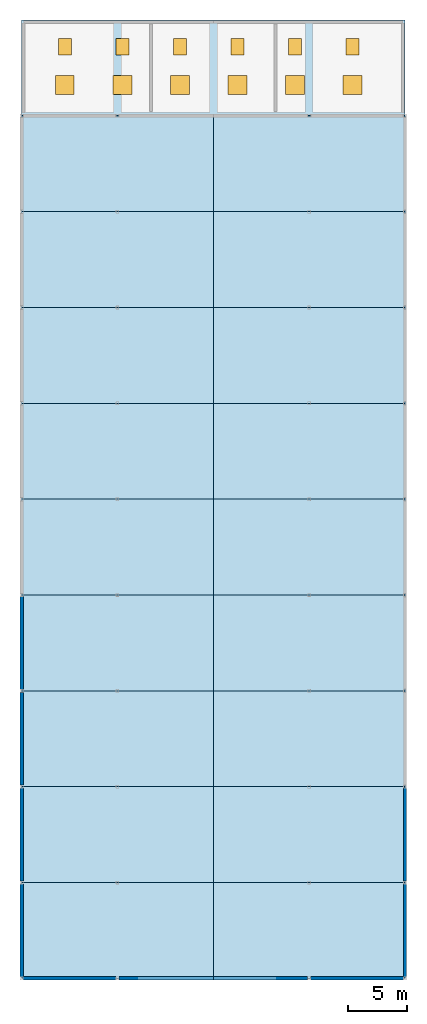
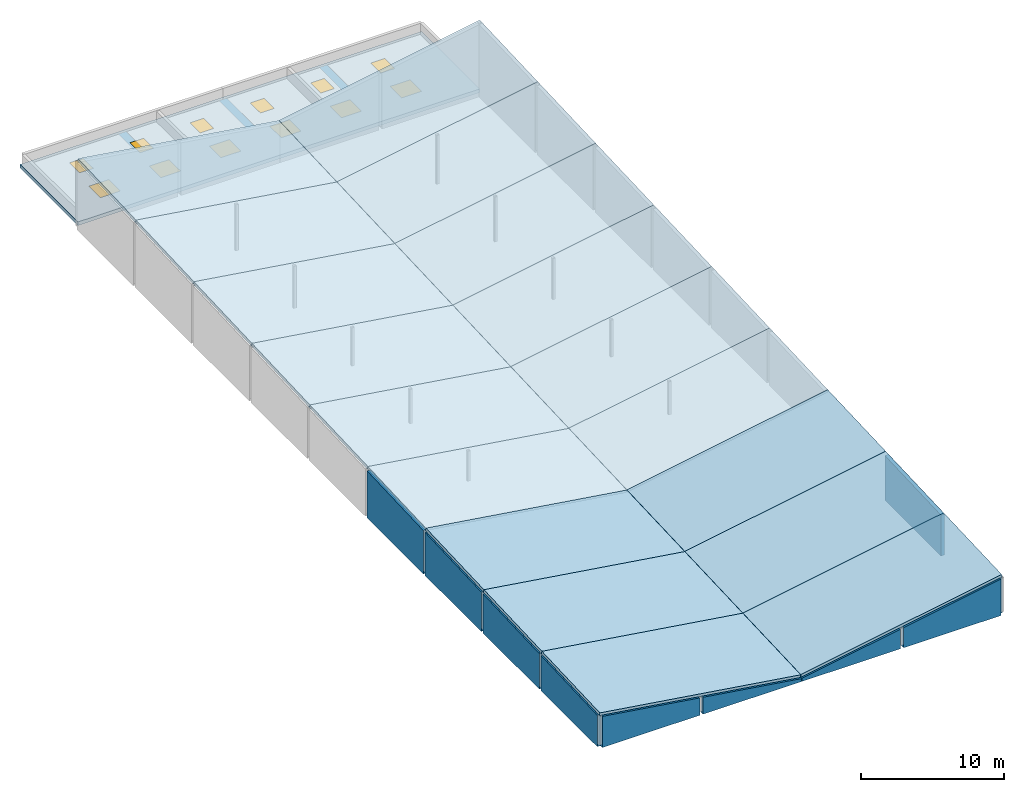
"""IFC4 building model written with IfcOpenShell, lengths in metres."""

from ifc_helpers import new_model, si_unit, direction, frame, origin, origin_2d, place, context, subcontext, project, spatial, polyline, rectangle, outline, extrude, material, layer, layer_set, type_object, element, fill, save


model = new_model("IFC4")

# Units and contexts
model_context = context("Model", 3, precision=1e-05, world=origin(), true_north=direction((0.0, 1.0)))
body_context = subcontext(model_context, "Body", "Model", "MODEL_VIEW")
ifc_project = project(units=[si_unit("LENGTHUNIT", "METRE"), si_unit("AREAUNIT", "SQUARE_METRE"), si_unit("VOLUMEUNIT", "CUBIC_METRE"), si_unit("PLANEANGLEUNIT", "RADIAN"), si_unit("MASSUNIT", "GRAM", prefix="KILO")], contexts=[model_context])

# Site, building, storey
site_placement = place(None, origin())
site = spatial("IfcSite", under=ifc_project, at=site_placement, CompositionType="ELEMENT")
building_placement = place(site_placement, origin())
building = spatial("IfcBuilding", under=site, at=building_placement, Name="Vaudrelin Polytechnic", CompositionType="ELEMENT")
storey_1_placement = place(building_placement, frame((0.0, 0.0, 36.2099609375)))
storey_1 = spatial("IfcBuildingStorey", under=building, at=storey_1_placement, Name="ROOF", CompositionType="ELEMENT", Elevation=36.2099609375)

# Slabs
ifc_material_1 = material(Name="Concrete 35 MPa", Category="concrete")
ifc_layer_1 = layer(ifc_material_1, 0.22998046875)
ifc_layer_set_1 = layer_set([ifc_layer_1], Name="Concrete 35 MPa")
slab_type_1 = type_object("IfcSlabType", Name="SLB-SL-RF230", PredefinedType="ROOF", material=ifc_layer_set_1)
slab_1_placement = place(storey_1_placement, frame((137.699951171875, 32.39990234375, 2.651123046875), z_axis=(0.147684565275, -0.041518439337, 0.988162683152), x_axis=(0.989015473761, 0.0, -0.147812017983)))
element("IfcSlab", 1, at=slab_1_placement, inside=storey_1, type_object=slab_type_1, Name="Laboratory west raked folded roof 4", PredefinedType="ROOF", context=body_context, shape_type="SweptSolid", body=[
    extrude(outline(polyline([(0.0, 0.0), (16.37987635346323, 0.0), (16.32957118913976, 8.107088091461934), (-0.05030516432347334, 8.107088091461934), (0.0, 0.0)])), origin(), (0.0, 0.0, -1.0), 0.22998046875),
])
slab_2_placement = place(storey_1_placement, frame((137.699951171875, 40.5, 2.991455078125), z_axis=(0.147684747832, -0.04148870695, 0.98816390465), x_axis=(0.989015473761, 0.0, -0.147812017983)))
element("IfcSlab", 2, at=slab_2_placement, inside=storey_1, type_object=slab_type_1, Name="Laboratory west raked folded roof 5", PredefinedType="ROOF", context=body_context, shape_type="SweptSolid", body=[
    extrude(outline(polyline([(0.0, 0.0), (16.37987635346323, 1.3877787807814457e-17), (16.329607276058212, 8.107078070056643), (-0.050269077405020346, 8.107078070056643), (0.0, 0.0)])), origin(), (0.0, 0.0, -1.0), 0.22998046875),
])
slab_3_placement = place(storey_1_placement, frame((137.699951171875, 48.60009765625, 3.33154296875), z_axis=(0.147677365259, -0.041504867617, 0.988164329327), x_axis=(0.989016561322, -3.05652e-07, -0.147804740897)))
element("IfcSlab", 3, at=slab_3_placement, inside=storey_1, type_object=slab_type_1, Name="Laboratory west raked folded roof 6", PredefinedType="ROOF", context=body_context, shape_type="SweptSolid", body=[
    extrude(outline(polyline([(0.0, 0.0), (16.379876353019075, 0.0), (16.329571189582552, 8.10684416046457), (-0.05026907829470016, 8.106834138746722), (0.0, 0.0)])), origin(), (0.0, 0.0, -1.0), 0.22998046875),
])
slab_4_placement = place(storey_1_placement, frame((137.699951171875, 56.699951171875, 3.671630859375), z_axis=(0.147677372927, -0.041503618796, 0.988164380633), x_axis=(0.989016565075, 3.05644e-07, -0.147804715783)))
element("IfcSlab", 4, at=slab_4_placement, inside=storey_1, type_object=slab_type_1, Name="Laboratory west raked folded roof 7", PredefinedType="ROOF", context=body_context, shape_type="SweptSolid", body=[
    extrude(outline(polyline([(0.0, 0.0), (16.379840267880322, 1.3877787807814457e-17), (16.329576149609846, 8.10707809990754), (-0.05030020340616338, 8.107088121345928), (0.0, 0.0)])), origin(), (0.0, 0.0, -1.0), 0.22998046875),
])
slab_5_placement = place(storey_1_placement, frame((137.699951171875, 64.800048828125, 4.011962890625), z_axis=(0.147677365259, -0.041504867617, 0.988164329327), x_axis=(0.989016561322, -3.05652e-07, -0.147804740897)))
element("IfcSlab", 5, at=slab_5_placement, inside=storey_1, type_object=slab_type_1, Name="Laboratory west raked folded roof 8", PredefinedType="ROOF", context=body_context, shape_type="SweptSolid", body=[
    extrude(outline(polyline([(0.0, 0.0), (16.379876353019075, 0.0), (16.329571189582552, 8.10684416046457), (-0.05026907829470016, 8.106834138746722), (0.0, 0.0)])), origin(), (0.0, 0.0, -1.0), 0.22998046875),
])
slab_6_placement = place(storey_1_placement, frame((137.699951171875, 72.89990234375, 4.35205078125), z_axis=(0.147677372927, -0.041503618796, 0.988164380633), x_axis=(0.989016565075, 3.05644e-07, -0.147804715783)))
element("IfcSlab", 6, at=slab_6_placement, inside=storey_1, type_object=slab_type_1, Name="Laboratory west raked folded roof 9", PredefinedType="ROOF", context=body_context, shape_type="SweptSolid", body=[
    extrude(outline(polyline([(0.0, 0.0), (16.379840267880322, 1.3877787807814457e-17), (16.329576149609846, 8.10707809990754), (-0.05030020340616338, 8.107088121345928), (0.0, 0.0)])), origin(), (0.0, 0.0, -1.0), 0.22998046875),
])
slab_7_placement = place(storey_1_placement, frame((137.699951171875, 81.0, 4.6923828125), z_axis=(0.147684747832, -0.04148870695, 0.98816390465), x_axis=(0.989015473761, 0.0, -0.147812017983)))
element("IfcSlab", 7, at=slab_7_placement, inside=storey_1, type_object=slab_type_1, Name="Laboratory west raked folded roof 10", PredefinedType="ROOF", context=body_context, shape_type="SweptSolid", body=[
    extrude(outline(polyline([(0.0, 0.0), (16.37987635346323, 1.3877787807814457e-17), (16.329607276058212, 8.107078070056643), (-0.050269077405020346, 8.107078070056643), (0.0, 0.0)])), origin(), (0.0, 0.0, -1.0), 0.22998046875),
])
slab_8_placement = place(storey_1_placement, frame((137.699951171875, 89.10009765625, 5.032470703125), z_axis=(0.147684557602, -0.041519688602, 0.988162631809), x_axis=(0.989015473761, 0.0, -0.147812017983)))
element("IfcSlab", 8, at=slab_8_placement, inside=storey_1, type_object=slab_type_1, Name="Laboratory west raked folded roof 11", PredefinedType="ROOF", context=body_context, shape_type="SweptSolid", body=[
    extrude(outline(polyline([(0.0, 0.0), (16.37987635346323, 1.3877787807814457e-17), (16.32957118913976, 8.106844161356491), (-0.05030516432347334, 8.106844161356491), (0.0, 0.0)])), origin(), (0.0, 0.0, -1.0), 0.22998046875),
])
slab_9_placement = place(storey_1_placement, frame((137.699951171875, 97.199951171875, 5.372802734375), z_axis=(0.147684747832, -0.04148870695, 0.98816390465), x_axis=(0.989015473761, 0.0, -0.147812017983)))
element("IfcSlab", 9, at=slab_9_placement, inside=storey_1, type_object=slab_type_1, Name="Laboratory west raked folded roof 12", PredefinedType="ROOF", context=body_context, shape_type="SweptSolid", body=[
    extrude(outline(polyline([(0.0, 0.0), (16.37987635346323, 1.3877787807814457e-17), (16.329607276058212, 8.107078070056643), (-0.050269077405020346, 8.107078070056643), (0.0, 0.0)])), origin(), (0.0, 0.0, -1.0), 0.22998046875),
])
ifc_layer_2 = layer(ifc_material_1, 0.2451171875)
ifc_layer_set_2 = layer_set([ifc_layer_2], Name="Concrete 35 MPa")
slab_type_2 = type_object("IfcSlabType", Name="SLB-SL-RF245", PredefinedType="ROOF", material=ifc_layer_set_2)
slab_10_placement = place(storey_1_placement, frame((153.89990234375, 32.39990234375, 0.2451171875), z_axis=(-0.174357587124, -0.041306142664, 0.983815650613), x_axis=(0.984656018004, 0.0, 0.174506521968)))
element("IfcSlab", 10, at=slab_10_placement, inside=storey_1, type_object=slab_type_2, Name="Laboratory east raked folded roof 4", PredefinedType="ROOF", context=body_context, shape_type="SweptSolid", body=[
    extrude(outline(polyline([(0.0, 0.0), (16.452644391842792, 0.0), (16.51199194679926, 8.10701669431223), (0.05934755495646837, 8.10701669431223), (0.0, 0.0)])), origin(), (0.0, 0.0, -1.0), 0.2451171875),
])
slab_11_placement = place(storey_1_placement, frame((153.89990234375, 40.5, 0.585205078125), z_axis=(-0.174357373488, -0.041335744667, 0.983814445169), x_axis=(0.984656018004, 0.0, 0.174506521968)))
element("IfcSlab", 11, at=slab_11_placement, inside=storey_1, type_object=slab_type_2, Name="Laboratory east raked folded roof 5", PredefinedType="ROOF", context=body_context, shape_type="SweptSolid", body=[
    extrude(outline(polyline([(0.0, 0.0), (16.452644391842792, 0.0), (16.5120345509306, 8.107026627641297), (0.05939015908780826, 8.107026627641297), (0.0, 0.0)])), origin(), (0.0, 0.0, -1.0), 0.2451171875),
])
slab_12_placement = place(storey_1_placement, frame((153.89990234375, 48.60009765625, 0.925537109375), z_axis=(-0.174357578157, -0.041307385563, 0.983815600017), x_axis=(0.984656018004, 0.0, 0.174506521968)))
element("IfcSlab", 12, at=slab_12_placement, inside=storey_1, type_object=slab_type_2, Name="Laboratory east raked folded roof 6", PredefinedType="ROOF", context=body_context, shape_type="SweptSolid", body=[
    extrude(outline(polyline([(0.0, 0.0), (16.452644391842792, 0.0), (16.51199194679926, 8.106772762058473), (0.05934755495646837, 8.10677276205847), (0.0, 0.0)])), origin(), (0.0, 0.0, -1.0), 0.2451171875),
])
slab_13_placement = place(storey_1_placement, frame((153.89990234375, 56.699951171875, 1.265625), z_axis=(-0.174357373488, -0.041335744667, 0.983814445169), x_axis=(0.984656018004, 0.0, 0.174506521968)))
element("IfcSlab", 13, at=slab_13_placement, inside=storey_1, type_object=slab_type_2, Name="Laboratory east raked folded roof 7", PredefinedType="ROOF", context=body_context, shape_type="SweptSolid", body=[
    extrude(outline(polyline([(0.0, 0.0), (16.452644391842792, 0.0), (16.5120345509306, 8.107026627641297), (0.05939015908780826, 8.107026627641297), (0.0, 0.0)])), origin(), (0.0, 0.0, -1.0), 0.2451171875),
])
slab_14_placement = place(storey_1_placement, frame((153.89990234375, 64.800048828125, 1.60595703125), z_axis=(-0.174357578157, -0.041307385563, 0.983815600017), x_axis=(0.984656018004, 0.0, 0.174506521968)))
element("IfcSlab", 14, at=slab_14_placement, inside=storey_1, type_object=slab_type_2, Name="Laboratory east raked folded roof 8", PredefinedType="ROOF", context=body_context, shape_type="SweptSolid", body=[
    extrude(outline(polyline([(0.0, 0.0), (16.452644391842792, 0.0), (16.51199194679926, 8.106772762058473), (0.05934755495646837, 8.10677276205847), (0.0, 0.0)])), origin(), (0.0, 0.0, -1.0), 0.2451171875),
])
slab_15_placement = place(storey_1_placement, frame((153.89990234375, 72.89990234375, 1.946044921875), z_axis=(-0.174357587124, -0.041306142664, 0.983815650613), x_axis=(0.984656018004, 0.0, 0.174506521968)))
element("IfcSlab", 15, at=slab_15_placement, inside=storey_1, type_object=slab_type_2, Name="Laboratory east raked folded roof 9", PredefinedType="ROOF", context=body_context, shape_type="SweptSolid", body=[
    extrude(outline(polyline([(0.0, 0.0), (16.452644391842792, 0.0), (16.51199194679926, 8.10701669431223), (0.05934755495646837, 8.10701669431223), (0.0, 0.0)])), origin(), (0.0, 0.0, -1.0), 0.2451171875),
])
slab_16_placement = place(storey_1_placement, frame((153.89990234375, 81.0, 2.2861328125), z_axis=(-0.174357373488, -0.041335744667, 0.983814445169), x_axis=(0.984656018004, 0.0, 0.174506521968)))
element("IfcSlab", 16, at=slab_16_placement, inside=storey_1, type_object=slab_type_2, Name="Laboratory east raked folded roof 10", PredefinedType="ROOF", context=body_context, shape_type="SweptSolid", body=[
    extrude(outline(polyline([(0.0, 0.0), (16.452644391842792, 0.0), (16.5120345509306, 8.107026627641297), (0.05939015908780826, 8.107026627641297), (0.0, 0.0)])), origin(), (0.0, 0.0, -1.0), 0.2451171875),
])
slab_17_placement = place(storey_1_placement, frame((153.89990234375, 89.10009765625, 2.62646484375), z_axis=(-0.174357578157, -0.041307385563, 0.983815600017), x_axis=(0.984656018004, 0.0, 0.174506521968)))
element("IfcSlab", 17, at=slab_17_placement, inside=storey_1, type_object=slab_type_2, Name="Laboratory east raked folded roof 11", PredefinedType="ROOF", context=body_context, shape_type="SweptSolid", body=[
    extrude(outline(polyline([(0.0, 0.0), (16.452644391842792, 0.0), (16.51199194679926, 8.106772762058473), (0.05934755495646837, 8.10677276205847), (0.0, 0.0)])), origin(), (0.0, 0.0, -1.0), 0.2451171875),
])
slab_18_placement = place(storey_1_placement, frame((153.89990234375, 97.199951171875, 2.966552734375), z_axis=(-0.174357373488, -0.041335744667, 0.983814445169), x_axis=(0.984656018004, 0.0, 0.174506521968)))
element("IfcSlab", 18, at=slab_18_placement, inside=storey_1, type_object=slab_type_2, Name="Laboratory east raked folded roof 12", PredefinedType="ROOF", context=body_context, shape_type="SweptSolid", body=[
    extrude(outline(polyline([(0.0, 0.0), (16.452644391842792, 0.0), (16.5120345509306, 8.107026627641297), (0.05939015908780826, 8.107026627641297), (0.0, 0.0)])), origin(), (0.0, 0.0, -1.0), 0.2451171875),
])

# Slab, openings
ifc_layer_3 = layer(ifc_material_1, 0.300048828125)
ifc_layer_set_3 = layer_set([ifc_layer_3], Name="Concrete 35 MPa")
slab_type_3 = type_object("IfcSlabType", Name="SLB-SL-RF300", PredefinedType="ROOF", material=ifc_layer_set_3)
slab_19_placement = place(storey_1_placement, origin())
slab_19 = element("IfcSlab", 19, at=slab_19_placement, inside=storey_1, type_object=slab_type_3, Name="ROOF terrace slab V4_HATCH_BAY", PredefinedType="ROOF", context=body_context, shape_type="SweptSolid", body=[
    extrude(outline(polyline([(137.699951171875, 105.300048828125), (170.10009765625, 105.300048828125), (170.10009765625, 113.39990234375), (137.699951171875, 113.39990234375), (137.699951171875, 105.300048828125)]), holes=[polyline([(140.544921875, 107.092041015625), (142.14501953125, 107.092041015625), (142.14501953125, 108.69189453125), (140.544921875, 108.69189453125), (140.544921875, 107.092041015625)]), polyline([(145.405029296875, 107.092041015625), (147.0048828125, 107.092041015625), (147.0048828125, 108.69189453125), (145.405029296875, 108.69189453125), (145.405029296875, 107.092041015625)]), polyline([(150.264892578125, 107.092041015625), (151.864990234375, 107.092041015625), (151.864990234375, 108.69189453125), (150.264892578125, 108.69189453125), (150.264892578125, 107.092041015625)]), polyline([(155.125, 107.092041015625), (156.72509765625, 107.092041015625), (156.72509765625, 108.69189453125), (155.125, 108.69189453125), (155.125, 107.092041015625)]), polyline([(159.985107421875, 107.092041015625), (161.5849609375, 107.092041015625), (161.5849609375, 108.69189453125), (159.985107421875, 108.69189453125), (159.985107421875, 107.092041015625)]), polyline([(164.844970703125, 107.092041015625), (166.445068359375, 107.092041015625), (166.445068359375, 108.69189453125), (164.844970703125, 108.69189453125), (164.844970703125, 107.092041015625)]), polyline([(140.794921875, 110.431884765625), (141.89501953125, 110.431884765625), (141.89501953125, 111.83203125), (140.794921875, 111.83203125), (140.794921875, 110.431884765625)]), polyline([(145.655029296875, 110.431884765625), (146.7548828125, 110.431884765625), (146.7548828125, 111.83203125), (145.655029296875, 111.83203125), (145.655029296875, 110.431884765625)]), polyline([(150.514892578125, 110.431884765625), (151.614990234375, 110.431884765625), (151.614990234375, 111.83203125), (150.514892578125, 111.83203125), (150.514892578125, 110.431884765625)]), polyline([(155.375, 110.431884765625), (156.47509765625, 110.431884765625), (156.47509765625, 111.83203125), (155.375, 111.83203125), (155.375, 110.431884765625)]), polyline([(160.235107421875, 110.431884765625), (161.3349609375, 110.431884765625), (161.3349609375, 111.83203125), (160.235107421875, 111.83203125), (160.235107421875, 110.431884765625)]), polyline([(165.094970703125, 110.431884765625), (166.195068359375, 110.431884765625), (166.195068359375, 111.83203125), (165.094970703125, 111.83203125), (165.094970703125, 110.431884765625)])]), origin(), (0.0, 0.0, 1.0), 0.300048828125),
])
opening_1_placement = place(slab_19_placement, frame((141.344970703125, 107.89208984375, 0.0)))
opening_1 = element("IfcOpeningElement", 20, at=opening_1_placement, cuts=slab_19, Name="Opening SK-01", PredefinedType="OPENING", context=body_context, shape_type="SweptSolid", body=[
    extrude(rectangle(XDim=1.60009765625, YDim=1.60009765625, at=origin_2d()), frame((0.0, 0.0, -0.010009765625)), (0.0, 0.0, 1.0), 0.320068359375),
])
opening_2_placement = place(slab_19_placement, frame((146.205078125, 107.89208984375, 0.0)))
opening_2 = element("IfcOpeningElement", 21, at=opening_2_placement, cuts=slab_19, Name="Opening SK-02", PredefinedType="OPENING", context=body_context, shape_type="SweptSolid", body=[
    extrude(rectangle(XDim=1.60009765625, YDim=1.60009765625, at=origin_2d()), frame((0.0, 0.0, -0.010009765625)), (0.0, 0.0, 1.0), 0.320068359375),
])
opening_3_placement = place(slab_19_placement, frame((151.06494140625, 107.89208984375, 0.0)))
opening_3 = element("IfcOpeningElement", 22, at=opening_3_placement, cuts=slab_19, Name="Opening SK-03", PredefinedType="OPENING", context=body_context, shape_type="SweptSolid", body=[
    extrude(rectangle(XDim=1.60009765625, YDim=1.60009765625, at=origin_2d()), frame((0.0, 0.0, -0.010009765625)), (0.0, 0.0, 1.0), 0.320068359375),
])
opening_4_placement = place(slab_19_placement, frame((155.925048828125, 107.89208984375, 0.0)))
opening_4 = element("IfcOpeningElement", 23, at=opening_4_placement, cuts=slab_19, Name="Opening SK-04", PredefinedType="OPENING", context=body_context, shape_type="SweptSolid", body=[
    extrude(rectangle(XDim=1.60009765625, YDim=1.60009765625, at=origin_2d()), frame((0.0, 0.0, -0.010009765625)), (0.0, 0.0, 1.0), 0.320068359375),
])
opening_5_placement = place(slab_19_placement, frame((160.784912109375, 107.89208984375, 0.0)))
opening_5 = element("IfcOpeningElement", 24, at=opening_5_placement, cuts=slab_19, Name="Opening SK-05", PredefinedType="OPENING", context=body_context, shape_type="SweptSolid", body=[
    extrude(rectangle(XDim=1.60009765625, YDim=1.60009765625, at=origin_2d()), frame((0.0, 0.0, -0.010009765625)), (0.0, 0.0, 1.0), 0.320068359375),
])
opening_6_placement = place(slab_19_placement, frame((165.64501953125, 107.89208984375, 0.0)))
opening_6 = element("IfcOpeningElement", 25, at=opening_6_placement, cuts=slab_19, Name="Opening SK-06", PredefinedType="OPENING", context=body_context, shape_type="SweptSolid", body=[
    extrude(rectangle(XDim=1.60009765625, YDim=1.60009765625, at=origin_2d()), frame((0.0, 0.0, -0.010009765625)), (0.0, 0.0, 1.0), 0.320068359375),
])
opening_7_placement = place(slab_19_placement, frame((141.344970703125, 111.132080078125, 0.0)))
opening_7 = element("IfcOpeningElement", 26, at=opening_7_placement, cuts=slab_19, Name="Opening RH-01", PredefinedType="OPENING", context=body_context, shape_type="SweptSolid", body=[
    extrude(rectangle(XDim=1.10009765625, YDim=1.39990234375, at=origin_2d()), frame((0.0, 0.0, -0.010009765625)), (0.0, 0.0, 1.0), 0.320068359375),
])
opening_8_placement = place(slab_19_placement, frame((146.205078125, 111.132080078125, 0.0)))
opening_8 = element("IfcOpeningElement", 27, at=opening_8_placement, cuts=slab_19, Name="Opening RH-02", PredefinedType="OPENING", context=body_context, shape_type="SweptSolid", body=[
    extrude(rectangle(XDim=1.10009765625, YDim=1.39990234375, at=origin_2d()), frame((0.0, 0.0, -0.010009765625)), (0.0, 0.0, 1.0), 0.320068359375),
])
opening_9_placement = place(slab_19_placement, frame((151.06494140625, 111.132080078125, 0.0)))
opening_9 = element("IfcOpeningElement", 28, at=opening_9_placement, cuts=slab_19, Name="Opening RH-03", PredefinedType="OPENING", context=body_context, shape_type="SweptSolid", body=[
    extrude(rectangle(XDim=1.10009765625, YDim=1.39990234375, at=origin_2d()), frame((0.0, 0.0, -0.010009765625)), (0.0, 0.0, 1.0), 0.320068359375),
])
opening_10_placement = place(slab_19_placement, frame((155.925048828125, 111.132080078125, 0.0)))
opening_10 = element("IfcOpeningElement", 29, at=opening_10_placement, cuts=slab_19, Name="Opening RH-04", PredefinedType="OPENING", context=body_context, shape_type="SweptSolid", body=[
    extrude(rectangle(XDim=1.10009765625, YDim=1.39990234375, at=origin_2d()), frame((0.0, 0.0, -0.010009765625)), (0.0, 0.0, 1.0), 0.320068359375),
])
opening_11_placement = place(slab_19_placement, frame((160.784912109375, 111.132080078125, 0.0)))
opening_11 = element("IfcOpeningElement", 30, at=opening_11_placement, cuts=slab_19, Name="Opening RH-05", PredefinedType="OPENING", context=body_context, shape_type="SweptSolid", body=[
    extrude(rectangle(XDim=1.10009765625, YDim=1.39990234375, at=origin_2d()), frame((0.0, 0.0, -0.010009765625)), (0.0, 0.0, 1.0), 0.320068359375),
])
opening_12_placement = place(slab_19_placement, frame((165.64501953125, 111.132080078125, 0.0)))
opening_12 = element("IfcOpeningElement", 31, at=opening_12_placement, cuts=slab_19, Name="Opening RH-06", PredefinedType="OPENING", context=body_context, shape_type="SweptSolid", body=[
    extrude(rectangle(XDim=1.10009765625, YDim=1.39990234375, at=origin_2d()), frame((0.0, 0.0, -0.010009765625)), (0.0, 0.0, 1.0), 0.320068359375),
])

# Storey
storey_2_placement = place(building_placement, frame((0.0, 0.0, 31.7900390625)))
storey_2 = spatial("IfcBuildingStorey", under=building, at=storey_2_placement, Name="L07", CompositionType="ELEMENT", Elevation=31.7900390625)

# Window
ifc_material_2 = material(Name="Thermally broken aluminium frame with triple low-e glazing", Category="aluminium")
window_type_1 = type_object("IfcWindowType", Name="WIN-RH-01", PartitioningType="SINGLE_PANEL", PredefinedType="USERDEFINED", material=ifc_material_2)
window_1_placement = place(opening_7_placement, frame((0.0, 0.0, 0.25)))
window_1 = element("IfcWindow", 32, at=window_1_placement, inside=storey_2, type_object=window_type_1, Name="Insulated roof maintenance hatch RH-01", ObjectType="ROOF HATCH", OverallHeight=1.39990234375, OverallWidth=1.10009765625, PartitioningType="SINGLE_PANEL", PredefinedType="USERDEFINED", context=body_context, shape_type="SweptSolid", body=[
    extrude(rectangle(XDim=1.10009765625, YDim=1.39990234375, at=origin_2d()), origin(), (0.0, 0.0, 1.0), 0.050048828125),
])

fill(opening_7, window_1)

window_2_placement = place(opening_8_placement, frame((0.0, 0.0, 0.25)))
window_2 = element("IfcWindow", 33, at=window_2_placement, inside=storey_2, type_object=window_type_1, Name="Insulated roof maintenance hatch RH-02", ObjectType="ROOF HATCH", OverallHeight=1.39990234375, OverallWidth=1.10009765625, PartitioningType="SINGLE_PANEL", PredefinedType="USERDEFINED", context=body_context, shape_type="SweptSolid", body=[
    extrude(rectangle(XDim=1.10009765625, YDim=1.39990234375, at=origin_2d()), origin(), (0.0, 0.0, 1.0), 0.050048828125),
])

fill(opening_8, window_2)

window_3_placement = place(opening_9_placement, frame((0.0, 0.0, 0.25)))
window_3 = element("IfcWindow", 34, at=window_3_placement, inside=storey_2, type_object=window_type_1, Name="Insulated roof maintenance hatch RH-03", ObjectType="ROOF HATCH", OverallHeight=1.39990234375, OverallWidth=1.10009765625, PartitioningType="SINGLE_PANEL", PredefinedType="USERDEFINED", context=body_context, shape_type="SweptSolid", body=[
    extrude(rectangle(XDim=1.10009765625, YDim=1.39990234375, at=origin_2d()), origin(), (0.0, 0.0, 1.0), 0.050048828125),
])

fill(opening_9, window_3)

window_4_placement = place(opening_10_placement, frame((0.0, 0.0, 0.25)))
window_4 = element("IfcWindow", 35, at=window_4_placement, inside=storey_2, type_object=window_type_1, Name="Insulated roof maintenance hatch RH-04", ObjectType="ROOF HATCH", OverallHeight=1.39990234375, OverallWidth=1.10009765625, PartitioningType="SINGLE_PANEL", PredefinedType="USERDEFINED", context=body_context, shape_type="SweptSolid", body=[
    extrude(rectangle(XDim=1.10009765625, YDim=1.39990234375, at=origin_2d()), origin(), (0.0, 0.0, 1.0), 0.050048828125),
])

fill(opening_10, window_4)

window_5_placement = place(opening_11_placement, frame((0.0, 0.0, 0.25)))
window_5 = element("IfcWindow", 36, at=window_5_placement, inside=storey_2, type_object=window_type_1, Name="Insulated roof maintenance hatch RH-05", ObjectType="ROOF HATCH", OverallHeight=1.39990234375, OverallWidth=1.10009765625, PartitioningType="SINGLE_PANEL", PredefinedType="USERDEFINED", context=body_context, shape_type="SweptSolid", body=[
    extrude(rectangle(XDim=1.10009765625, YDim=1.39990234375, at=origin_2d()), origin(), (0.0, 0.0, 1.0), 0.050048828125),
])

fill(opening_11, window_5)

window_6_placement = place(opening_12_placement, frame((0.0, 0.0, 0.25)))
window_6 = element("IfcWindow", 37, at=window_6_placement, inside=storey_2, type_object=window_type_1, Name="Insulated roof maintenance hatch RH-06", ObjectType="ROOF HATCH", OverallHeight=1.39990234375, OverallWidth=1.10009765625, PartitioningType="SINGLE_PANEL", PredefinedType="USERDEFINED", context=body_context, shape_type="SweptSolid", body=[
    extrude(rectangle(XDim=1.10009765625, YDim=1.39990234375, at=origin_2d()), origin(), (0.0, 0.0, 1.0), 0.050048828125),
])

fill(opening_12, window_6)

window_type_2 = type_object("IfcWindowType", Name="WIN-SK-01", PartitioningType="SINGLE_PANEL", PredefinedType="SKYLIGHT", material=ifc_material_2)
window_7_placement = place(opening_1_placement, frame((0.0, 0.0, 0.25)))
window_7 = element("IfcWindow", 38, at=window_7_placement, inside=storey_2, type_object=window_type_2, Name="Pyramid roof skylight SK-01", OverallHeight=1.60009765625, OverallWidth=1.60009765625, PartitioningType="SINGLE_PANEL", PredefinedType="SKYLIGHT", context=body_context, shape_type="SweptSolid", body=[
    extrude(rectangle(XDim=1.60009765625, YDim=1.60009765625, at=origin_2d()), origin(), (0.0, 0.0, 1.0), 0.050048828125),
])

fill(opening_1, window_7)

window_8_placement = place(opening_2_placement, frame((0.0, 0.0, 0.25)))
window_8 = element("IfcWindow", 39, at=window_8_placement, inside=storey_2, type_object=window_type_2, Name="Pyramid roof skylight SK-02", OverallHeight=1.60009765625, OverallWidth=1.60009765625, PartitioningType="SINGLE_PANEL", PredefinedType="SKYLIGHT", context=body_context, shape_type="SweptSolid", body=[
    extrude(rectangle(XDim=1.60009765625, YDim=1.60009765625, at=origin_2d()), origin(), (0.0, 0.0, 1.0), 0.050048828125),
])

fill(opening_2, window_8)

window_9_placement = place(opening_3_placement, frame((0.0, 0.0, 0.25)))
window_9 = element("IfcWindow", 40, at=window_9_placement, inside=storey_2, type_object=window_type_2, Name="Pyramid roof skylight SK-03", OverallHeight=1.60009765625, OverallWidth=1.60009765625, PartitioningType="SINGLE_PANEL", PredefinedType="SKYLIGHT", context=body_context, shape_type="SweptSolid", body=[
    extrude(rectangle(XDim=1.60009765625, YDim=1.60009765625, at=origin_2d()), origin(), (0.0, 0.0, 1.0), 0.050048828125),
])

fill(opening_3, window_9)

window_10_placement = place(opening_4_placement, frame((0.0, 0.0, 0.25)))
window_10 = element("IfcWindow", 41, at=window_10_placement, inside=storey_2, type_object=window_type_2, Name="Pyramid roof skylight SK-04", OverallHeight=1.60009765625, OverallWidth=1.60009765625, PartitioningType="SINGLE_PANEL", PredefinedType="SKYLIGHT", context=body_context, shape_type="SweptSolid", body=[
    extrude(rectangle(XDim=1.60009765625, YDim=1.60009765625, at=origin_2d()), origin(), (0.0, 0.0, 1.0), 0.050048828125),
])

fill(opening_4, window_10)

window_11_placement = place(opening_5_placement, frame((0.0, 0.0, 0.25)))
window_11 = element("IfcWindow", 42, at=window_11_placement, inside=storey_2, type_object=window_type_2, Name="Pyramid roof skylight SK-05", OverallHeight=1.60009765625, OverallWidth=1.60009765625, PartitioningType="SINGLE_PANEL", PredefinedType="SKYLIGHT", context=body_context, shape_type="SweptSolid", body=[
    extrude(rectangle(XDim=1.60009765625, YDim=1.60009765625, at=origin_2d()), origin(), (0.0, 0.0, 1.0), 0.050048828125),
])

fill(opening_5, window_11)

window_12_placement = place(opening_6_placement, frame((0.0, 0.0, 0.25)))
window_12 = element("IfcWindow", 43, at=window_12_placement, inside=storey_2, type_object=window_type_2, Name="Pyramid roof skylight SK-06", OverallHeight=1.60009765625, OverallWidth=1.60009765625, PartitioningType="SINGLE_PANEL", PredefinedType="SKYLIGHT", context=body_context, shape_type="SweptSolid", body=[
    extrude(rectangle(XDim=1.60009765625, YDim=1.60009765625, at=origin_2d()), origin(), (0.0, 0.0, 1.0), 0.050048828125),
])

fill(opening_6, window_12)

# Walls
ifc_material_3 = material(Name="Precast concrete 35 MPa with standing-seam zinc rainscreen", Category="concrete")
ifc_layer_4 = layer(ifc_material_3, 0.280029296875)
ifc_layer_set_4 = layer_set([ifc_layer_4], Name="Precast concrete 35 MPa with standing-seam zinc rainscreen")
wall_type = type_object("IfcWallType", Name="WAL-EW-CLER280", PredefinedType="STANDARD", material=ifc_layer_set_4)
wall_1_placement = place(storey_1_placement, frame((137.699951171875, 32.52392578125, -0.260009765625), z_axis=(0.0, 0.0, 1.0), x_axis=(0.0, 1.0, 0.0)))
element("IfcWall", 44, at=wall_1_placement, inside=storey_1, type_object=wall_type, Name="Laboratory W raked clerestory wall 4", PredefinedType="STANDARD", context=body_context, shape_type="SweptSolid", body=[
    extrude(outline(polyline([(0.0, 0.0), (7.85205078125, 0.0), (7.85205078125, 3.006103515625), (0.0, 2.67626953125), (0.0, 0.0)])), frame((0.0, 0.14013671875, 0.0), z_axis=(0.0, -1.0, 0.0), x_axis=(1.0, 0.0, 0.0)), (0.0, 0.0, 1.0), 0.280029296875),
])
wall_2_placement = place(storey_1_placement, frame((170.10009765625, 32.52392578125, -0.260009765625), z_axis=(0.0, 0.0, 1.0), x_axis=(0.0, 1.0, 0.0)))
element("IfcWall", 45, at=wall_2_placement, inside=storey_1, type_object=wall_type, Name="Laboratory E raked clerestory wall 4", PredefinedType="STANDARD", context=body_context, shape_type="SweptSolid", body=[
    extrude(outline(polyline([(0.0, 0.0), (7.85205078125, 0.0), (7.85205078125, 3.47119140625), (0.0, 3.141357421875), (0.0, 0.0)])), frame((0.0, 0.14013671875, 0.0), z_axis=(0.0, -1.0, 0.0), x_axis=(1.0, 0.0, 0.0)), (0.0, 0.0, 1.0), 0.280029296875),
])
wall_3_placement = place(storey_1_placement, frame((137.699951171875, 40.6240234375, -0.260009765625), z_axis=(0.0, 0.0, 1.0), x_axis=(0.0, 1.0, 0.0)))
element("IfcWall", 46, at=wall_3_placement, inside=storey_1, type_object=wall_type, Name="Laboratory W raked clerestory wall 5", PredefinedType="STANDARD", context=body_context, shape_type="SweptSolid", body=[
    extrude(outline(polyline([(0.0, 0.0), (7.85205078125, 0.0), (7.85205078125, 3.346435546875), (0.0, 3.0166015625), (0.0, 0.0)])), frame((0.0, 0.14013671875, 0.0), z_axis=(0.0, -1.0, 0.0), x_axis=(1.0, 0.0, 0.0)), (0.0, 0.0, 1.0), 0.280029296875),
])
wall_4_placement = place(storey_1_placement, frame((170.10009765625, 40.6240234375, -0.260009765625), z_axis=(0.0, 0.0, 1.0), x_axis=(0.0, 1.0, 0.0)))
element("IfcWall", 47, at=wall_4_placement, inside=storey_1, type_object=wall_type, Name="Laboratory E raked clerestory wall 5", PredefinedType="STANDARD", context=body_context, shape_type="SweptSolid", body=[
    extrude(outline(polyline([(0.0, 0.0), (7.85205078125, 0.0), (7.85205078125, 3.811279296875), (0.0, 3.4814453125), (0.0, 0.0)])), frame((0.0, 0.14013671875, 0.0), z_axis=(0.0, -1.0, 0.0), x_axis=(1.0, 0.0, 0.0)), (0.0, 0.0, 1.0), 0.280029296875),
])
wall_5_placement = place(storey_1_placement, frame((137.699951171875, 48.72412109375, -0.260009765625), z_axis=(0.0, 0.0, 1.0), x_axis=(0.0, 1.0, 0.0)))
element("IfcWall", 48, at=wall_5_placement, inside=storey_1, type_object=wall_type, Name="Laboratory W raked clerestory wall 6", PredefinedType="STANDARD", context=body_context, shape_type="SweptSolid", body=[
    extrude(outline(polyline([(0.0, 0.0), (7.851806640625, 0.0), (7.85205078125, 3.6865234375), (0.0, 3.356689453125), (0.0, 0.0)])), frame((0.0, 0.14013671875, 0.0), z_axis=(0.0, -1.0, 0.0), x_axis=(1.0, 0.0, 0.0)), (0.0, 0.0, 1.0), 0.280029296875),
])
wall_6_placement = place(storey_1_placement, frame((137.699951171875, 56.823974609375, -0.260009765625), z_axis=(0.0, 0.0, 1.0), x_axis=(0.0, 1.0, 0.0)))
element("IfcWall", 49, at=wall_6_placement, inside=storey_1, type_object=wall_type, Name="Laboratory W raked clerestory wall 7", PredefinedType="STANDARD", context=body_context, shape_type="SweptSolid", body=[
    extrude(outline(polyline([(0.0, 0.0), (7.85205078125, 0.0), (7.85205078125, 4.02685546875), (0.0, 3.697021484375), (0.0, 0.0)])), frame((0.0, 0.14013671875, 0.0), z_axis=(0.0, -1.0, 0.0), x_axis=(1.0, 0.0, 0.0)), (0.0, 0.0, 1.0), 0.280029296875),
])
wall_7_placement = place(storey_1_placement, frame((137.823974609375, 32.39990234375, -0.260009765625), z_axis=(0.0, 0.0, 1.0), x_axis=(1.0, 0.0, 0.0)))
element("IfcWall", 50, at=wall_7_placement, inside=storey_1, type_object=wall_type, Name="Laboratory S raked butterfly gable wall W1", PredefinedType="STANDARD", context=body_context, shape_type="SweptSolid", body=[
    extrude(outline(polyline([(0.0, 0.0), (7.85205078125, 0.0), (7.85205078125, 1.479248046875), (0.0, 2.652587890625), (0.0, 0.0)])), frame((0.0, 0.14013671875, 0.0), z_axis=(0.0, -1.0, 0.0), x_axis=(1.0, 0.0, 0.0)), (0.0, 0.0, 1.0), 0.280029296875),
])
wall_8_placement = place(storey_1_placement, frame((145.924072265625, 32.39990234375, -0.260009765625), z_axis=(0.0, 0.0, 1.0), x_axis=(1.0, 0.0, 0.0)))
element("IfcWall", 51, at=wall_8_placement, inside=storey_1, type_object=wall_type, Name="Laboratory S raked butterfly gable wall W2", PredefinedType="STANDARD", context=body_context, shape_type="SweptSolid", body=[
    extrude(outline(polyline([(0.0, 0.0), (7.973876953125, 0.0), (7.97412109375, 0.250244140625), (0.0, 1.442138671875), (0.0, 0.0)])), frame((0.0, 0.14013671875, 0.0), z_axis=(0.0, -1.0, 0.0), x_axis=(1.0, 0.0, 0.0)), (0.0, 0.0, 1.0), 0.280029296875),
])
wall_9_placement = place(storey_1_placement, frame((153.902099609375, 32.39990234375, -0.260009765625), z_axis=(0.0, 0.0, 1.0), x_axis=(1.0, 0.0, 0.0)))
element("IfcWall", 52, at=wall_9_placement, inside=storey_1, type_object=wall_type, Name="Laboratory S raked butterfly gable wall E1", PredefinedType="STANDARD", context=body_context, shape_type="SweptSolid", body=[
    extrude(outline(polyline([(0.0, 0.0), (7.973876953125, 0.0), (7.97412109375, 1.6787109375), (0.0, 0.265380859375), (0.0, 0.0)])), frame((0.0, 0.14013671875, 0.0), z_axis=(0.0, -1.0, 0.0), x_axis=(1.0, 0.0, 0.0)), (0.0, 0.0, 1.0), 0.280029296875),
])
wall_10_placement = place(storey_1_placement, frame((162.1240234375, 32.39990234375, -0.260009765625), z_axis=(0.0, 0.0, 1.0), x_axis=(1.0, 0.0, 0.0)))
element("IfcWall", 53, at=wall_10_placement, inside=storey_1, type_object=wall_type, Name="Laboratory S raked butterfly gable wall E2", PredefinedType="STANDARD", context=body_context, shape_type="SweptSolid", body=[
    extrude(outline(polyline([(0.0, 0.0), (7.85205078125, 0.0), (7.85205078125, 3.1142578125), (0.0, 1.72265625), (0.0, 0.0)])), frame((0.0, 0.14013671875, 0.0), z_axis=(0.0, -1.0, 0.0), x_axis=(1.0, 0.0, 0.0)), (0.0, 0.0, 1.0), 0.280029296875),
])

save(model, "model.ifc")
